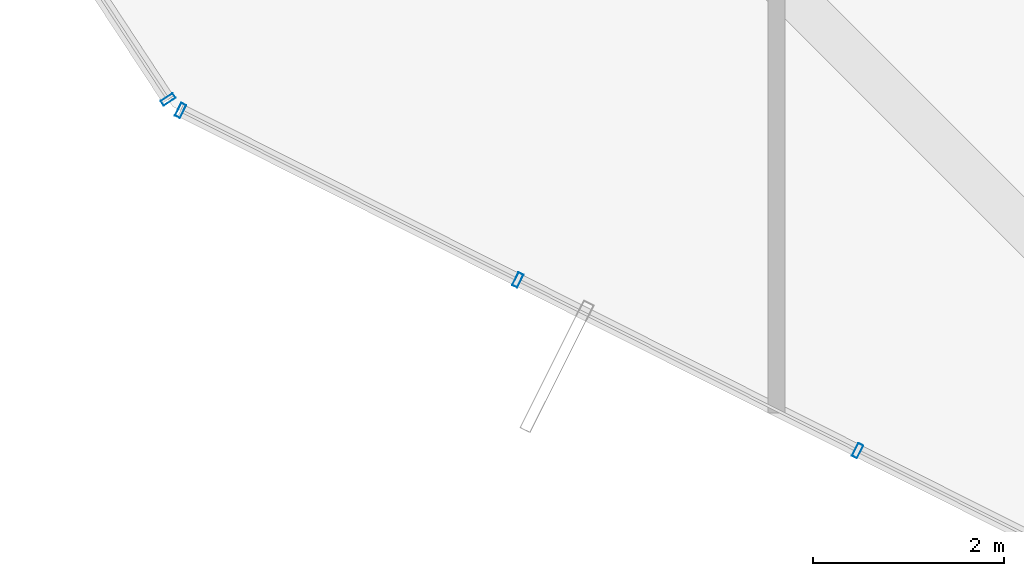
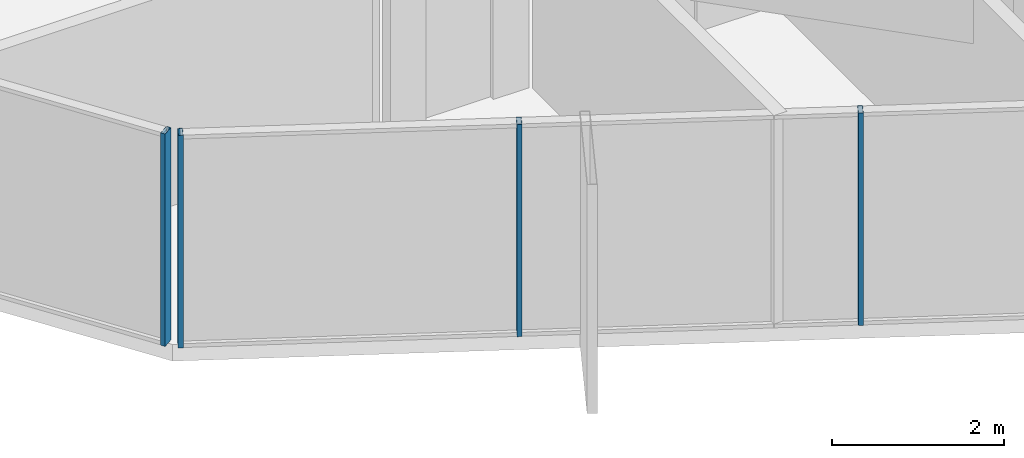
# One storey, part 2 of 33: 4 members, 2 elements without a shape of their own.
"""IFC4 building model written with IfcOpenShell, lengths in metres."""

import ifcopenshell
import ifcopenshell.guid

model = None  # the IFC model being written
_history = None  # IfcOwnerHistory: only IFC2X3 demands one
_inside = {}  # id of a spatial element -> (the spatial element, [elements in it])
_under = {}  # id of a project, library or spatial element -> (it, [spatial elements below it])
_declared = {}  # id of a project -> (the project, [libraries it declares])
_typed = {}  # id of a type object -> (the type object, [elements of that type])
_made_of = {}  # id of a material, layer set ... -> (it, [elements and type objects made of it])


def new_model(schema):
    """Start an empty IFC model of exactly this schema.

    Asked for "IFC4X3", IfcOpenShell would pick the latest addendum, in which some entities
    have other attributes; the version numbers below select the first issue.
    IFC2X3 requires an IfcOwnerHistory on every rooted entity: one is made here for all.
    """
    global model, _history
    if schema == "IFC4X3":
        model = ifcopenshell.file(schema_version=(4, 3, 0, 0))
    else:
        model = ifcopenshell.file(schema=schema)
    _inside.clear()
    _under.clear()
    _declared.clear()
    _typed.clear()
    _made_of.clear()
    _history = None
    if model.schema == "IFC2X3":
        org = make("IfcOrganization", Name="unknown")
        user = make(
            "IfcPersonAndOrganization",
            ThePerson=make("IfcPerson", FamilyName="unknown"),
            TheOrganization=org,
        )
        app = make(
            "IfcApplication",
            ApplicationDeveloper=org,
            Version="unknown",
            ApplicationFullName="unknown",
            ApplicationIdentifier="unknown",
        )
        _history = make(
            "IfcOwnerHistory",
            OwningUser=user,
            OwningApplication=app,
            ChangeAction="ADDED",
            CreationDate=0,
        )
    return model


def make(cls, **values):
    """One entity of the class cls with the attributes given. An attribute that is None is left unset."""
    return model.create_entity(
        cls, **{name: value for name, value in values.items() if value is not None}
    )


def rooted(cls, **values):
    """An entity with a GlobalId (a new one), such as an element, a storey or a relation."""
    return make(cls, GlobalId=ifcopenshell.guid.new(), OwnerHistory=_history, **values)


def si_unit(unit_type, name, prefix=None):
    """IfcSIUnit, for example si_unit("LENGTHUNIT", "METRE", prefix="MILLI")."""
    return make("IfcSIUnit", UnitType=unit_type, Prefix=prefix, Name=name)


def assignment(units):
    """IfcUnitAssignment: the units of a project."""
    return None if units is None else make("IfcUnitAssignment", Units=units)


def point(xyz):
    """IfcCartesianPoint."""
    return None if xyz is None else make("IfcCartesianPoint", Coordinates=xyz)


def direction(xyz):
    """IfcDirection."""
    return None if xyz is None else make("IfcDirection", DirectionRatios=xyz)


def frame(location, z_axis=None, x_axis=None):
    """IfcAxis2Placement3D, a coordinate frame: its origin and axes. An axis left out is left unset."""
    return make(
        "IfcAxis2Placement3D",
        Location=point(location),
        Axis=direction(z_axis),
        RefDirection=direction(x_axis),
    )


def frame_2d(location, x_axis=None):
    """IfcAxis2Placement2D, a coordinate frame in the plane: its origin and x axis."""
    return make(
        "IfcAxis2Placement2D", Location=point(location), RefDirection=direction(x_axis)
    )


def origin():
    """The frame at (0, 0, 0) with its axes left unset."""
    return frame((0.0, 0.0, 0.0))


def origin_2d():
    """The frame at (0, 0) in the plane with its x axis left unset."""
    return frame_2d((0.0, 0.0))


def place(relative_to, where):
    """IfcLocalPlacement: puts the frame where relative to a parent placement (None: the world)."""
    return make(
        "IfcLocalPlacement", PlacementRelTo=relative_to, RelativePlacement=where
    )


def context(
    kind, dimensions, precision=None, world=None, true_north=None, identifier=None
):
    """IfcGeometricRepresentationContext, for example the 3D "Model" context."""
    return make(
        "IfcGeometricRepresentationContext",
        ContextIdentifier=identifier,
        ContextType=kind,
        CoordinateSpaceDimension=dimensions,
        Precision=precision,
        WorldCoordinateSystem=world,
        TrueNorth=true_north,
    )


def subcontext(parent, identifier, kind, view, scale=None):
    """IfcGeometricRepresentationSubContext, for example "Body" below "Model"."""
    return make(
        "IfcGeometricRepresentationSubContext",
        ContextIdentifier=identifier,
        ContextType=kind,
        ParentContext=parent,
        TargetScale=scale,
        TargetView=view,
    )


def project(units=None, contexts=None):
    """IfcProject with its units and contexts."""
    return rooted(
        "IfcProject",
        Name="project",
        RepresentationContexts=contexts,
        UnitsInContext=assignment(units),
    )


def spatial(cls, under=None, at=None, **own):
    """A site, building, storey or space (cls), placed at a placement, below another one or the project."""
    s = rooted(cls, ObjectPlacement=at, **own)
    if under is not None:
        _under.setdefault(under.id(), (under, []))[1].append(s)
    return s


def profile(cls, at=None, kind="AREA", **sizes):
    """A parametric profile (cls). Its sizes go by their IFC names, for example OverallWidth=200.0."""
    return make(cls, ProfileType=kind, Position=at, **sizes)


def hollow_rectangle(**sizes):
    """IfcRectangleHollowProfileDef."""
    return profile("IfcRectangleHollowProfileDef", **sizes)


def extrude(swept, where, along, depth):
    """IfcExtrudedAreaSolid: the profile swept, set in the frame where, extruded along a direction by depth."""
    return make(
        "IfcExtrudedAreaSolid",
        SweptArea=swept,
        Position=where,
        ExtrudedDirection=direction(along),
        Depth=depth,
    )


def shape(context_of_items, identifier, shape_type, items):
    """IfcShapeRepresentation: the items that make up one representation, for example the "Body"."""
    return make(
        "IfcShapeRepresentation",
        ContextOfItems=context_of_items,
        RepresentationIdentifier=identifier,
        RepresentationType=shape_type,
        Items=items,
    )


def source(mapping_origin, context_of_items, identifier, shape_type, items):
    """IfcRepresentationMap: a shape defined once, which mapped items show again and again."""
    return make(
        "IfcRepresentationMap",
        MappingOrigin=mapping_origin,
        MappedRepresentation=shape(context_of_items, identifier, shape_type, items),
    )


def transform(
    local_origin,
    x_axis=None,
    y_axis=None,
    z_axis=None,
    scale=None,
    scale2=None,
    scale3=None,
    uniform=True,
):
    """IfcCartesianTransformationOperator3D, or its non-uniform kind. x_axis, y_axis, z_axis: its Axis1, 2, 3."""
    if uniform:
        return make(
            "IfcCartesianTransformationOperator3D",
            Axis1=direction(x_axis),
            Axis2=direction(y_axis),
            LocalOrigin=point(local_origin),
            Scale=scale,
            Axis3=direction(z_axis),
        )
    return make(
        "IfcCartesianTransformationOperator3DnonUniform",
        Axis1=direction(x_axis),
        Axis2=direction(y_axis),
        LocalOrigin=point(local_origin),
        Scale=scale,
        Axis3=direction(z_axis),
        Scale2=scale2,
        Scale3=scale3,
    )


def mapped(mapping_source, mapping_target):
    """IfcMappedItem: shows the shape of a source again, moved by a transform."""
    return make(
        "IfcMappedItem", MappingSource=mapping_source, MappingTarget=mapping_target
    )


def material(Name=None, Category=None):
    """IfcMaterial."""
    return make("IfcMaterial", Name=Name, Category=Category)


def layer(
    of_material, thickness, ventilated=None, Name=None, Category=None, Priority=None
):
    """IfcMaterialLayer: one layer of a wall or slab, of a material (None: an air gap)."""
    return make(
        "IfcMaterialLayer",
        Material=of_material,
        LayerThickness=thickness,
        IsVentilated=ventilated,
        Name=Name,
        Category=Category,
        Priority=Priority,
    )


def layer_set(layers, Name=None):
    """IfcMaterialLayerSet."""
    return make("IfcMaterialLayerSet", MaterialLayers=layers, LayerSetName=Name)


def material_profile(
    of_material, cross_section, Name=None, Category=None, Priority=None
):
    """IfcMaterialProfile: a cross section and its material."""
    return make(
        "IfcMaterialProfile",
        Name=Name,
        Material=of_material,
        Profile=cross_section,
        Priority=Priority,
        Category=Category,
    )


def profile_set(profiles, Name=None, composite=None):
    """IfcMaterialProfileSet."""
    return make(
        "IfcMaterialProfileSet",
        Name=Name,
        MaterialProfiles=profiles,
        CompositeProfile=composite,
    )


def made_of(thing, what):
    """Note that an element or type object is made of a material, layer set ...; save() writes the relation."""
    if what is not None:
        _made_of.setdefault(what.id(), (what, []))[1].append(thing)
    return thing


def type_object(cls, material=None, **own):
    """A type object (cls), such as IfcWallType, which elements share."""
    return made_of(rooted(cls, **own), material)


def element(
    cls,
    number,
    at=None,
    inside=None,
    cuts=None,
    type_object=None,
    material=None,
    context=None,
    identifier="Body",
    shape_type=None,
    held_by="IfcProductDefinitionShape",
    body=None,
    shapes=None,
    **own,
):
    """One element of the class cls, such as IfcWall. Its Tag is "e" and its number.

    at: its placement. inside: the storey or other place that contains it. cuts: it is an
    opening in that element (IfcRelVoidsElement). A single representation is given by context,
    identifier, shape_type and body (its items); several are given by shapes. held_by: the class
    of the entity that holds the representations. save() writes the other relations.
    """
    e = rooted(cls, Tag="e%d" % number, ObjectPlacement=at, **own)
    if body is not None:
        shapes = [shape(context, identifier, shape_type, body)]
    if shapes is not None:
        e.Representation = make(held_by, Representations=shapes)
    if inside is not None:
        _inside.setdefault(inside.id(), (inside, []))[1].append(e)
    if cuts is not None:
        rooted(
            "IfcRelVoidsElement", RelatingBuildingElement=cuts, RelatedOpeningElement=e
        )
    if type_object is not None:
        _typed.setdefault(type_object.id(), (type_object, []))[1].append(e)
    return made_of(e, material)


def aggregate(whole, parts):
    """IfcRelAggregates: a whole, such as a stair, and the parts it consists of."""
    return rooted("IfcRelAggregates", RelatingObject=whole, RelatedObjects=parts)


def save(model, path):
    """Write the relations noted so far, then the file.

    IfcRelAggregates (storeys below a building ...), IfcRelContainedInSpatialStructure (elements
    in a storey), IfcRelDefinesByType, IfcRelAssociatesMaterial and IfcRelDeclares: one each for
    every whole, place, type object, material and project.
    """
    for whole, parts in _under.values():
        aggregate(whole, parts)
    for where, things in _inside.values():
        rooted(
            "IfcRelContainedInSpatialStructure",
            RelatedElements=things,
            RelatingStructure=where,
        )
    for kind, things in _typed.values():
        rooted("IfcRelDefinesByType", RelatedObjects=things, RelatingType=kind)
    for what, things in _made_of.values():
        rooted("IfcRelAssociatesMaterial", RelatedObjects=things, RelatingMaterial=what)
    for by, libraries in _declared.values():
        rooted("IfcRelDeclares", RelatingContext=by, RelatedDefinitions=libraries)
    model.write(path)


model = new_model("IFC4")

# Units and contexts
model_context = context("Model", 3, precision=1e-05, world=origin(), true_north=direction((0.0, 1.0)))
body_context = subcontext(model_context, "Body", "Model", "MODEL_VIEW")
ifc_project = project(units=[si_unit("LENGTHUNIT", "METRE"), si_unit("AREAUNIT", "SQUARE_METRE"), si_unit("VOLUMEUNIT", "CUBIC_METRE"), si_unit("PLANEANGLEUNIT", "RADIAN"), si_unit("MASSUNIT", "GRAM", prefix="KILO")], contexts=[model_context])

# Site, building, storey
site_placement = place(None, origin())
site = spatial("IfcSite", under=ifc_project, at=site_placement, CompositionType="ELEMENT")
building_placement = place(site_placement, origin())
building = spatial("IfcBuilding", under=site, at=building_placement, Name="Veraguas Prism Commons", CompositionType="ELEMENT")
storey_placement = place(building_placement, frame((0.0, 0.0, 195.10009765625)))
storey = spatial("IfcBuildingStorey", under=building, at=storey_placement, Name="L55", CompositionType="ELEMENT", Elevation=195.10009765625)

# Curtain wall, members
ifc_material = material(Name="Anodised aluminium EN AW-6063 T6", Category="aluminium")
ifc_layer = layer(ifc_material, 0.14990234375, Name="Unitised Flush Curtain Wall Zone 3", Category="aluminium")
ifc_layer_set = layer_set([ifc_layer], Name="Anodised aluminium EN AW-6063 T6")
curtain_wall_type = type_object("IfcCurtainWallType", Name="Unitised Flush Curtain Wall Zone 3", PredefinedType="NOTDEFINED", material=ifc_layer_set)
curtain_wall_1_placement = place(storey_placement, origin())
curtain_wall_1 = element("IfcCurtainWall", 1, at=curtain_wall_1_placement, inside=storey, type_object=curtain_wall_type, Name="Tower Facade Curtain Wall L55-F4", PredefinedType="NOTDEFINED")
ifc_material_profile = material_profile(ifc_material, hollow_rectangle(XDim=0.06005859375, YDim=0.14990234375, WallThickness=0.0029296875, at=origin_2d()), Name="AL60X150X3")
ifc_profile_set = profile_set([ifc_material_profile], Name="Anodised aluminium EN AW-6063 T6")
member_type = type_object("IfcMemberType", Name="Curtain Wall Mullion Upper AL 60x150x3", PredefinedType="MULLION", material=ifc_profile_set)
shared_shape = source(origin(), body_context, "Body", "SweptSolid", [
    extrude(hollow_rectangle(XDim=0.06005859375, YDim=0.14990234375, WallThickness=0.0029296875, at=origin_2d()), origin(), (0.0, 0.0, 1.0), 3.014892578125),
])
member_1_placement = place(storey_placement, frame((8.97021484375, 11.732177734375, 0.0), z_axis=(0.0, 0.0, 1.0), x_axis=(0.893525824808, -0.449011804301, 0.0)))
member_1 = element("IfcMember", 2, at=member_1_placement, type_object=member_type, Name="CW-Z3 Mullion 1", PredefinedType="MULLION", context=body_context, shape_type="MappedRepresentation", body=[
    mapped(shared_shape, transform((0.0, 0.0, 0.0), scale=1.0)),
])
member_2_placement = place(storey_placement, frame((12.49560546875, 9.96044921875, 0.0), z_axis=(0.0, 0.0, 1.0), x_axis=(0.893525824808, -0.449011804301, 0.0)))
member_2 = element("IfcMember", 3, at=member_2_placement, type_object=member_type, Name="CW-Z3 Mullion 2", PredefinedType="MULLION", context=body_context, shape_type="MappedRepresentation", body=[
    mapped(shared_shape, transform((0.0, 0.0, 0.0), scale=1.0)),
])
member_3_placement = place(storey_placement, frame((16.0478515625, 8.17529296875, 0.0), z_axis=(0.0, 0.0, 1.0), x_axis=(0.893525824808, -0.449011804301, 0.0)))
member_3 = element("IfcMember", 4, at=member_3_placement, type_object=member_type, Name="CW-Z3 Mullion 3", PredefinedType="MULLION", context=body_context, shape_type="MappedRepresentation", body=[
    mapped(shared_shape, transform((0.0, 0.0, 0.0), scale=1.0)),
])
aggregate(curtain_wall_1, [member_1, member_2, member_3])

# Curtain wall, member
curtain_wall_2_placement = place(storey_placement, origin())
curtain_wall_2 = element("IfcCurtainWall", 5, at=curtain_wall_2_placement, inside=storey, type_object=curtain_wall_type, Name="Chamfer Curtain Wall L55-C4", PredefinedType="NOTDEFINED")
member_4_placement = place(storey_placement, frame((8.84033203125, 11.84765625, 0.0), z_axis=(0.0, 0.0, 1.0), x_axis=(0.549270782864, -0.835644426231, 0.0)))
member_4 = element("IfcMember", 6, at=member_4_placement, type_object=member_type, Name="CW-Z3 Mullion 2", PredefinedType="MULLION", context=body_context, shape_type="MappedRepresentation", body=[
    mapped(shared_shape, transform((0.0, 0.0, 0.0), scale=1.0)),
])
aggregate(curtain_wall_2, [member_4])

save(model, "model.ifc")
